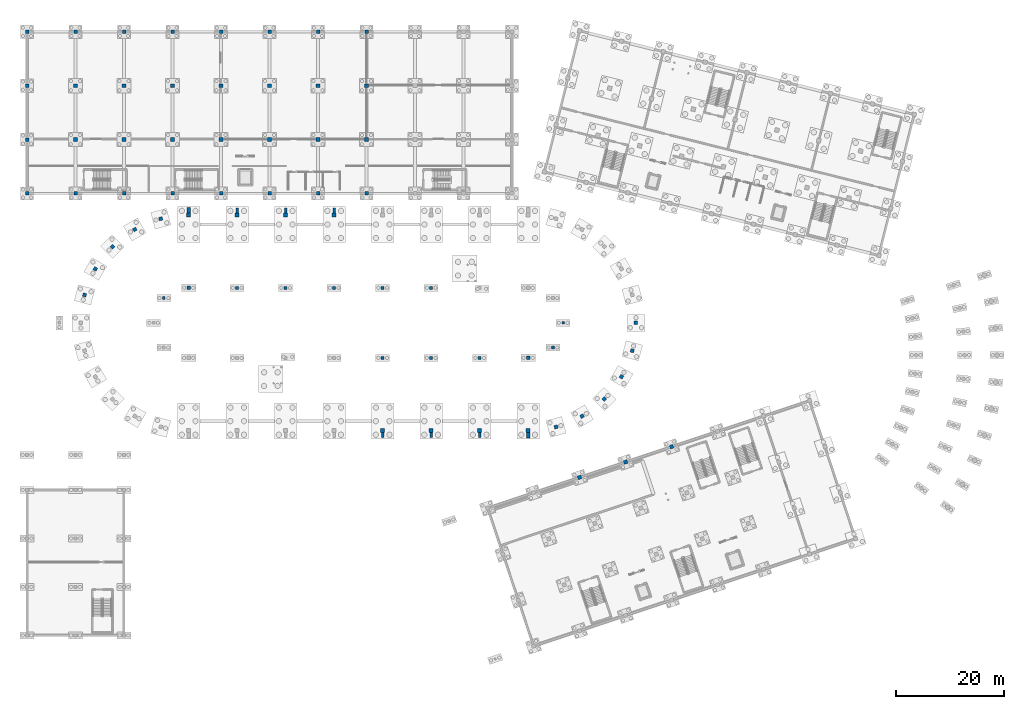
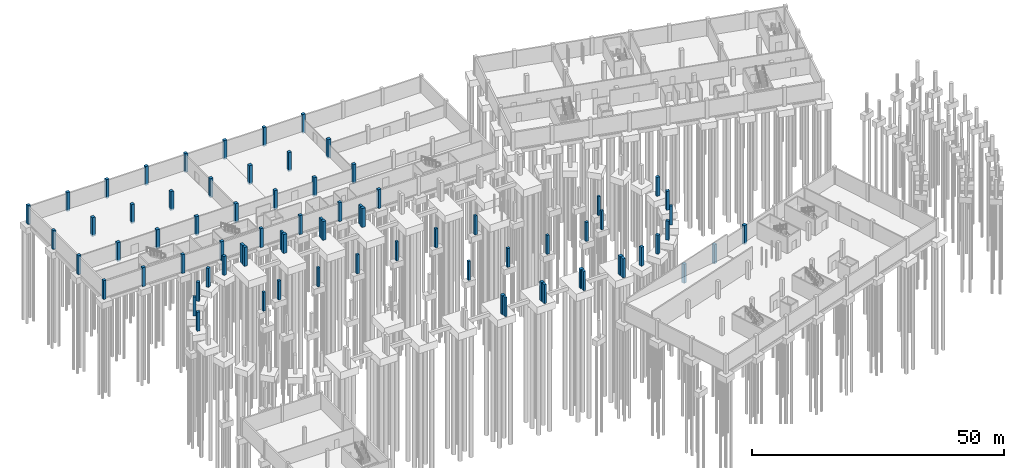
# One storey, part 13 of 36: 75 columns.
"""IFC4 building model written with IfcOpenShell, lengths in metres."""

from ifc_helpers import new_model, si_unit, derived_unit, direction, frame, origin, origin_2d, place, context, subcontext, project, spatial, rectangle, extrude, material, material_profile, profile_set, type_object, element, save


model = new_model("IFC4")

# Units and contexts
model_context = context("Model", 3, precision=1e-05, world=origin(), true_north=direction((0.0, 1.0)))
body_context = subcontext(model_context, "Body", "Model", "MODEL_VIEW")
ifc_project = project(units=[si_unit("LENGTHUNIT", "METRE"), si_unit("AREAUNIT", "SQUARE_METRE"), si_unit("VOLUMEUNIT", "CUBIC_METRE"), si_unit("PLANEANGLEUNIT", "RADIAN"), si_unit("MASSUNIT", "GRAM", prefix="KILO"), si_unit("THERMODYNAMICTEMPERATUREUNIT", "KELVIN"), si_unit("TIMEUNIT", "SECOND"), derived_unit("THERMALTRANSMITTANCEUNIT", [(si_unit("MASSUNIT", "GRAM", prefix="KILO"), 1), (si_unit("THERMODYNAMICTEMPERATUREUNIT", "KELVIN"), -1), (si_unit("TIMEUNIT", "SECOND"), -3)])], contexts=[model_context])

# Site, building, storey
site_placement = place(None, origin())
site = spatial("IfcSite", under=ifc_project, at=site_placement, CompositionType="ELEMENT")
building_placement = place(site_placement, origin())
building = spatial("IfcBuilding", under=site, at=building_placement, Name="Cambertide Market Hall", CompositionType="ELEMENT")
storey_placement = place(building_placement, frame((0.0, 0.0, -4.199951171875)))
storey = spatial("IfcBuildingStorey", under=building, at=storey_placement, Name="B1", CompositionType="ELEMENT", Elevation=-4.199951171875)

# Columns
ifc_material_1 = material(Name="Concrete B35", Category="concrete")
ifc_material_profile_1 = material_profile(ifc_material_1, rectangle(XDim=0.5, YDim=0.89990234375, at=origin_2d()), Name="RC 500x900")
ifc_profile_set_1 = profile_set([ifc_material_profile_1], Name="Concrete B35")
column_type_1 = type_object("IfcColumnType", Name="Concrete Buttress Pilaster RC 500x900", PredefinedType="PILASTER", material=ifc_profile_set_1)
for number, where, z_axis, x_axis, name in (
    (1, (51.0, 92.830078125, -0.400146484375), (0.0, 0.0, 1.0), (1.0, 0.0, 0.0), "Basement 1 Pilaster PIL-V1-N2"),
    (2, (60.0, 92.830078125, -0.400146484375), (0.0, 0.0, 1.0), (1.0, 0.0, 0.0), "Basement 1 Pilaster PIL-V1-N3"),
    (3, (69.0, 92.830078125, -0.400146484375), (0.0, 0.0, 1.0), (1.0, 0.0, 0.0), "Basement 1 Pilaster PIL-V1-N4"),
    (4, (78.0, 51.169921875, -0.400146484375), (0.0, 0.0, 1.0), (1.0, 0.0, 0.0), "Basement 1 Pilaster PIL-V1-S5"),
    (5, (87.0, 51.169921875, -0.400146484375), (0.0, 0.0, 1.0), (1.0, 0.0, 0.0), "Basement 1 Pilaster PIL-V1-S6"),
    (6, (96.0, 51.169921875, -0.400146484375), (0.0, 0.0, 1.0), (1.0, 0.0, 0.0), "Basement 1 Pilaster PIL-V1-S7"),
):
    element("IfcColumn", number, at=place(storey_placement, frame(where, z_axis=z_axis, x_axis=x_axis)), inside=storey, type_object=column_type_1, Name=name, PredefinedType="PILASTER", context=body_context, shape_type="SweptSolid", body=[
        extrude(rectangle(XDim=0.5, YDim=0.89990234375, at=origin_2d()), origin(), (0.0, 0.0, 1.0), 4.60009765625),
    ])
ifc_material_2 = material(Name="Concrete B35", Category="concrete")
ifc_material_profile_2 = material_profile(ifc_material_2, rectangle(XDim=0.60009765625, YDim=1.0, at=origin_2d()), Name="RC 600x1000")
ifc_profile_set_2 = profile_set([ifc_material_profile_2], Name="Concrete B35")
column_type_2 = type_object("IfcColumnType", Name="Concrete Buttress Pilaster RC 600x1000", PredefinedType="PILASTER", material=ifc_profile_set_2)
for number, where, z_axis, x_axis, name in (
    (7, (42.0, 92.8798828125, -0.400146484375), (0.0, 0.0, 1.0), (1.0, 0.0, 0.0), "Basement 1 Pilaster PIL-V1-N1"),
    (8, (105.0, 51.1201171875, -0.400146484375), (0.0, 0.0, 1.0), (1.0, 0.0, 0.0), "Basement 1 Pilaster PIL-V1-S8"),
):
    element("IfcColumn", number, at=place(storey_placement, frame(where, z_axis=z_axis, x_axis=x_axis)), inside=storey, type_object=column_type_2, Name=name, PredefinedType="PILASTER", context=body_context, shape_type="SweptSolid", body=[
        extrude(rectangle(XDim=0.60009765625, YDim=1.0, at=origin_2d()), origin(), (0.0, 0.0, 1.0), 4.60009765625),
    ])
ifc_material_3 = material(Name="Concrete B30", Category="concrete")
ifc_material_profile_3 = material_profile(ifc_material_3, rectangle(XDim=0.5, YDim=0.5, at=origin_2d()), Name="RC 500x500")
ifc_profile_set_3 = profile_set([ifc_material_profile_3], Name="Concrete B30")
column_type_3 = type_object("IfcColumnType", Name="Concrete Column RC 500x500", PredefinedType="COLUMN", material=ifc_profile_set_3)
for number, where, z_axis, x_axis, name in (
    (9, (37.40380859375, 76.59619140625, -0.400146484375), (0.0, 0.0, 1.0), (1.0, 0.0, 0.0), "Basement 1 Column COL-V1-MW06-B1"),
    (10, (109.59619140625, 67.40380859375, -0.400146484375), (0.0, 0.0, 1.0), (1.0, 0.0, 0.0), "Basement 1 Column COL-V1-ME06-B1"),
    (11, (111.5, 72.0, -0.400146484375), (0.0, 0.0, 1.0), (1.0, 0.0, 0.0), "Basement 1 Column COL-V1-ME12-B1"),
):
    element("IfcColumn", number, at=place(storey_placement, frame(where, z_axis=z_axis, x_axis=x_axis)), inside=storey, type_object=column_type_3, Name=name, PredefinedType="COLUMN", context=body_context, shape_type="SweptSolid", body=[
        extrude(rectangle(XDim=0.5, YDim=0.5, at=origin_2d()), origin(), (0.0, 0.0, 1.0), 4.60009765625),
    ])
ifc_material_4 = material(Name="Concrete B30", Category="concrete")
ifc_material_profile_4 = material_profile(ifc_material_4, rectangle(XDim=0.550048828125, YDim=0.550048828125, at=origin_2d()), Name="RC 550x550")
ifc_profile_set_4 = profile_set([ifc_material_profile_4], Name="Concrete B30")
column_type_4 = type_object("IfcColumnType", Name="Concrete Column RC 550x550", PredefinedType="COLUMN", material=ifc_profile_set_4)
for number, where, z_axis, x_axis, name in (
    (12, (51.0, 78.5, -0.400146484375), (0.0, 0.0, 1.0), (1.0, 0.0, 0.0), "Basement 1 Column COL-V1-MN2-B1"),
    (13, (60.0, 78.5, -0.400146484375), (0.0, 0.0, 1.0), (1.0, 0.0, 0.0), "Basement 1 Column COL-V1-MN3-B1"),
    (14, (69.0, 78.5, -0.400146484375), (0.0, 0.0, 1.0), (1.0, 0.0, 0.0), "Basement 1 Column COL-V1-MN4-B1"),
    (15, (78.0, 65.5, -0.400146484375), (0.0, 0.0, 1.0), (1.0, 0.0, 0.0), "Basement 1 Column COL-V1-MS5-B1"),
    (16, (78.0, 78.5, -0.400146484375), (0.0, 0.0, 1.0), (1.0, 0.0, 0.0), "Basement 1 Column COL-V1-MN5-B1"),
    (17, (87.0, 65.5, -0.400146484375), (0.0, 0.0, 1.0), (1.0, 0.0, 0.0), "Basement 1 Column COL-V1-MS6-B1"),
    (18, (87.0, 78.5, -0.400146484375), (0.0, 0.0, 1.0), (1.0, 0.0, 0.0), "Basement 1 Column COL-V1-MN6-B1"),
    (19, (96.0, 65.5, -0.400146484375), (0.0, 0.0, 1.0), (1.0, 0.0, 0.0), "Basement 1 Column COL-V1-MS7-B1"),
):
    element("IfcColumn", number, at=place(storey_placement, frame(where, z_axis=z_axis, x_axis=x_axis)), inside=storey, type_object=column_type_4, Name=name, PredefinedType="COLUMN", context=body_context, shape_type="SweptSolid", body=[
        extrude(rectangle(XDim=0.550048828125, YDim=0.550048828125, at=origin_2d()), origin(), (0.0, 0.0, 1.0), 4.60009765625),
    ])
ifc_material_5 = material(Name="Concrete B35", Category="concrete")
ifc_material_profile_5 = material_profile(ifc_material_5, rectangle(XDim=0.60009765625, YDim=0.60009765625, at=origin_2d()), Name="RC 600x600")
ifc_profile_set_5 = profile_set([ifc_material_profile_5], Name="Concrete B35")
column_type_5 = type_object("IfcColumnType", Name="Concrete Column RC 600x600", PredefinedType="COLUMN", material=ifc_profile_set_5)
for number, where, z_axis, x_axis, name in (
    (20, (42.0, 78.5, -0.400146484375), (0.0, 0.0, 1.0), (1.0, 0.0, 0.0), "Basement 1 Column COL-V1-MN1-B1"),
    (21, (105.0, 65.5, -0.400146484375), (0.0, 0.0, 1.0), (1.0, 0.0, 0.0), "Basement 1 Column COL-V1-MS8-B1"),
):
    element("IfcColumn", number, at=place(storey_placement, frame(where, z_axis=z_axis, x_axis=x_axis)), inside=storey, type_object=column_type_5, Name=name, PredefinedType="COLUMN", context=body_context, shape_type="SweptSolid", body=[
        extrude(rectangle(XDim=0.60009765625, YDim=0.60009765625, at=origin_2d()), origin(), (0.0, 0.0, 1.0), 4.60009765625),
    ])
ifc_material_6 = material(Name="Concrete B35", Category="concrete")
ifc_material_profile_6 = material_profile(ifc_material_6, rectangle(XDim=0.64990234375, YDim=0.64990234375, at=origin_2d()), Name="RC 650x650")
ifc_profile_set_6 = profile_set([ifc_material_profile_6], Name="Concrete B35")
column_type_6 = type_object("IfcColumnType", Name="Concrete Column RC 650x650", PredefinedType="COLUMN", material=ifc_profile_set_6)
for number, where, z_axis, x_axis, name in (
    (22, (36.82373046875, 91.318603515625, -0.400146484375), (0.0, 0.0, 1.0), (-0.258819045103, 0.965925826289, 0.0), "Basement 1 Column COL-V1-AW02-B1"),
    (23, (32.0, 89.320556640625, -0.400146484375), (0.0, 0.0, 1.0), (-0.5, 0.866025403784, 0.0), "Basement 1 Column COL-V1-AW04-B1"),
    (24, (27.85791015625, 86.14208984375, -0.400146484375), (0.0, 0.0, 1.0), (-0.707106781187, 0.707106781187, 0.0), "Basement 1 Column COL-V1-AW06-B1"),
    (25, (24.679443359375, 82.0, -0.400146484375), (0.0, 0.0, 1.0), (-0.866025403784, 0.5, 0.0), "Basement 1 Column COL-V1-AW08-B1"),
    (26, (22.681396484375, 77.17626953125, -0.400146484375), (0.0, 0.0, 1.0), (-0.965925826289, 0.258819045103, 0.0), "Basement 1 Column COL-V1-AW10-B1"),
    (27, (110.17626953125, 52.681396484375, -0.400146484375), (0.0, 0.0, 1.0), (0.258819045103, -0.965925826289, 0.0), "Basement 1 Column COL-V1-AE02-B1"),
    (28, (115.0, 54.679443359375, -0.400146484375), (0.0, 0.0, 1.0), (0.5, -0.866025403784, 0.0), "Basement 1 Column COL-V1-AE04-B1"),
    (29, (119.14208984375, 57.85791015625, -0.400146484375), (0.0, 0.0, 1.0), (0.707106781187, -0.707106781187, 0.0), "Basement 1 Column COL-V1-AE06-B1"),
    (30, (122.320556640625, 62.0, -0.400146484375), (0.0, 0.0, 1.0), (0.866025403784, -0.5, 0.0), "Basement 1 Column COL-V1-AE08-B1"),
    (31, (124.318603515625, 66.82373046875, -0.400146484375), (0.0, 0.0, 1.0), (0.965925826289, -0.258819045103, 0.0), "Basement 1 Column COL-V1-AE10-B1"),
    (32, (125.0, 72.0, -0.400146484375), (0.0, 0.0, 1.0), (1.0, 0.0, 0.0), "Basement 1 Column COL-V1-AE12-B1"),
    (33, (12.0, 96.0, -0.400146484375), (0.0, 0.0, 1.0), (1.0, 0.0, 0.0), "Basement 1 Column COL-V2-1-1-B1"),
    (34, (12.0, 106.0, -0.400146484375), (0.0, 0.0, 1.0), (1.0, 0.0, 0.0), "Basement 1 Column COL-V2-1-2-B1"),
    (35, (12.0, 116.0, -0.400146484375), (0.0, 0.0, 1.0), (1.0, 0.0, 0.0), "Basement 1 Column COL-V2-1-3-B1"),
    (36, (12.0, 126.0, -0.400146484375), (0.0, 0.0, 1.0), (1.0, 0.0, 0.0), "Basement 1 Column COL-V2-1-4-B1"),
    (37, (21.0, 96.0, -0.400146484375), (0.0, 0.0, 1.0), (1.0, 0.0, 0.0), "Basement 1 Column COL-V2-2-1-B1"),
    (38, (21.0, 126.0, -0.400146484375), (0.0, 0.0, 1.0), (1.0, 0.0, 0.0), "Basement 1 Column COL-V2-2-4-B1"),
    (39, (30.0, 96.0, -0.400146484375), (0.0, 0.0, 1.0), (1.0, 0.0, 0.0), "Basement 1 Column COL-V2-3-1-B1"),
    (40, (30.0, 126.0, -0.400146484375), (0.0, 0.0, 1.0), (1.0, 0.0, 0.0), "Basement 1 Column COL-V2-3-4-B1"),
    (41, (39.0, 96.0, -0.400146484375), (0.0, 0.0, 1.0), (1.0, 0.0, 0.0), "Basement 1 Column COL-V2-4-1-B1"),
    (42, (39.0, 126.0, -0.400146484375), (0.0, 0.0, 1.0), (1.0, 0.0, 0.0), "Basement 1 Column COL-V2-4-4-B1"),
    (43, (48.0, 96.0, -0.400146484375), (0.0, 0.0, 1.0), (1.0, 0.0, 0.0), "Basement 1 Column COL-V2-5-1-B1"),
    (44, (48.0, 126.0, -0.400146484375), (0.0, 0.0, 1.0), (1.0, 0.0, 0.0), "Basement 1 Column COL-V2-5-4-B1"),
    (45, (57.0, 96.0, -0.400146484375), (0.0, 0.0, 1.0), (1.0, 0.0, 0.0), "Basement 1 Column COL-V2-6-1-B1"),
    (46, (57.0, 126.0, -0.400146484375), (0.0, 0.0, 1.0), (1.0, 0.0, 0.0), "Basement 1 Column COL-V2-6-4-B1"),
    (47, (66.0, 96.0, -0.400146484375), (0.0, 0.0, 1.0), (1.0, 0.0, 0.0), "Basement 1 Column COL-V2-7-1-B1"),
    (48, (66.0, 126.0, -0.400146484375), (0.0, 0.0, 1.0), (1.0, 0.0, 0.0), "Basement 1 Column COL-V2-7-4-B1"),
    (49, (75.0, 96.0, -0.400146484375), (0.0, 0.0, 1.0), (1.0, 0.0, 0.0), "Basement 1 Column COL-V2-8-1-B1"),
    (50, (75.0, 126.0, -0.400146484375), (0.0, 0.0, 1.0), (1.0, 0.0, 0.0), "Basement 1 Column COL-V2-8-4-B1"),
):
    element("IfcColumn", number, at=place(storey_placement, frame(where, z_axis=z_axis, x_axis=x_axis)), inside=storey, type_object=column_type_6, Name=name, PredefinedType="COLUMN", context=body_context, shape_type="SweptSolid", body=[
        extrude(rectangle(XDim=0.64990234375, YDim=0.64990234375, at=origin_2d()), origin(), (0.0, 0.0, 1.0), 4.60009765625),
    ])
ifc_material_7 = material(Name="Concrete B35", Category="concrete")
ifc_material_profile_7 = material_profile(ifc_material_7, rectangle(XDim=0.699951171875, YDim=0.699951171875, at=origin_2d()), Name="RC 700x700")
ifc_profile_set_7 = profile_set([ifc_material_profile_7], Name="Concrete B35")
column_type_7 = type_object("IfcColumnType", Name="Concrete Column RC 700x700", PredefinedType="COLUMN", material=ifc_profile_set_7)
for number, where, z_axis, x_axis, name in (
    (51, (21.0, 106.0, -0.400146484375), (0.0, 0.0, 1.0), (1.0, 0.0, 0.0), "Basement 1 Column COL-V2-2-2-B1"),
    (52, (21.0, 116.0, -0.400146484375), (0.0, 0.0, 1.0), (1.0, 0.0, 0.0), "Basement 1 Column COL-V2-2-3-B1"),
    (53, (30.0, 106.0, -0.400146484375), (0.0, 0.0, 1.0), (1.0, 0.0, 0.0), "Basement 1 Column COL-V2-3-2-B1"),
    (54, (30.0, 116.0, -0.400146484375), (0.0, 0.0, 1.0), (1.0, 0.0, 0.0), "Basement 1 Column COL-V2-3-3-B1"),
    (55, (39.0, 106.0, -0.400146484375), (0.0, 0.0, 1.0), (1.0, 0.0, 0.0), "Basement 1 Column COL-V2-4-2-B1"),
    (56, (39.0, 116.0, -0.400146484375), (0.0, 0.0, 1.0), (1.0, 0.0, 0.0), "Basement 1 Column COL-V2-4-3-B1"),
    (57, (48.0, 106.0, -0.400146484375), (0.0, 0.0, 1.0), (1.0, 0.0, 0.0), "Basement 1 Column COL-V2-5-2-B1"),
    (58, (48.0, 116.0, -0.400146484375), (0.0, 0.0, 1.0), (1.0, 0.0, 0.0), "Basement 1 Column COL-V2-5-3-B1"),
    (59, (57.0, 106.0, -0.400146484375), (0.0, 0.0, 1.0), (1.0, 0.0, 0.0), "Basement 1 Column COL-V2-6-2-B1"),
    (60, (57.0, 116.0, -0.400146484375), (0.0, 0.0, 1.0), (1.0, 0.0, 0.0), "Basement 1 Column COL-V2-6-3-B1"),
    (61, (66.0, 106.0, -0.400146484375), (0.0, 0.0, 1.0), (1.0, 0.0, 0.0), "Basement 1 Column COL-V2-7-2-B1"),
    (62, (66.0, 116.0, -0.400146484375), (0.0, 0.0, 1.0), (1.0, 0.0, 0.0), "Basement 1 Column COL-V2-7-3-B1"),
    (63, (75.0, 106.0, -0.400146484375), (0.0, 0.0, 1.0), (1.0, 0.0, 0.0), "Basement 1 Column COL-V2-8-2-B1"),
    (64, (75.0, 116.0, -0.400146484375), (0.0, 0.0, 1.0), (1.0, 0.0, 0.0), "Basement 1 Column COL-V2-8-3-B1"),
    (65, (114.5380859375, 43.306640625, -0.400146484375), (0.0, 0.0, 1.0), (0.94868329805, 0.316227766018, 0.0), "Basement 1 Column COL-V3-3-4-B1"),
    (66, (123.076416015625, 46.152587890625, -0.400146484375), (0.0, 0.0, 1.0), (0.94868329805, 0.316227766018, 0.0), "Basement 1 Column COL-V3-4-4-B1"),
    (67, (131.614501953125, 48.99853515625, -0.400146484375), (0.0, 0.0, 1.0), (0.94868329805, 0.316227766018, 0.0), "Basement 1 Column COL-V3-5-4-B1"),
):
    element("IfcColumn", number, at=place(storey_placement, frame(where, z_axis=z_axis, x_axis=x_axis)), inside=storey, type_object=column_type_7, Name=name, PredefinedType="COLUMN", context=body_context, shape_type="SweptSolid", body=[
        extrude(rectangle(XDim=0.699951171875, YDim=0.699951171875, at=origin_2d()), origin(), (0.0, 0.0, 1.0), 4.60009765625),
    ])
ifc_material_8 = material(Name="Concrete B35", Category="concrete")
ifc_material_profile_8 = material_profile(ifc_material_8, rectangle(XDim=0.75, YDim=0.75, at=origin_2d()), Name="RC 750x750")
ifc_profile_set_8 = profile_set([ifc_material_profile_8], Name="Concrete B35")
column_type_8 = type_object("IfcColumnType", Name="Concrete Column RC 750x750", PredefinedType="COLUMN", material=ifc_profile_set_8)
for number, where, z_axis, x_axis, name in (
    (68, (42.0, 92.0, -0.400146484375), (0.0, 0.0, 1.0), (0.0, 1.0, 0.0), "Basement 1 Column COL-V1-N1-B1"),
    (69, (51.0, 92.0, -0.400146484375), (0.0, 0.0, 1.0), (0.0, 1.0, 0.0), "Basement 1 Column COL-V1-N2-B1"),
    (70, (60.0, 92.0, -0.400146484375), (0.0, 0.0, 1.0), (0.0, 1.0, 0.0), "Basement 1 Column COL-V1-N3-B1"),
    (71, (69.0, 92.0, -0.400146484375), (0.0, 0.0, 1.0), (0.0, 1.0, 0.0), "Basement 1 Column COL-V1-N4-B1"),
    (72, (78.0, 52.0, -0.400146484375), (0.0, 0.0, 1.0), (0.0, 1.0, 0.0), "Basement 1 Column COL-V1-S5-B1"),
    (73, (87.0, 52.0, -0.400146484375), (0.0, 0.0, 1.0), (0.0, 1.0, 0.0), "Basement 1 Column COL-V1-S6-B1"),
    (74, (96.0, 52.0, -0.400146484375), (0.0, 0.0, 1.0), (0.0, 1.0, 0.0), "Basement 1 Column COL-V1-S7-B1"),
    (75, (105.0, 52.0, -0.400146484375), (0.0, 0.0, 1.0), (0.0, 1.0, 0.0), "Basement 1 Column COL-V1-S8-B1"),
):
    element("IfcColumn", number, at=place(storey_placement, frame(where, z_axis=z_axis, x_axis=x_axis)), inside=storey, type_object=column_type_8, Name=name, PredefinedType="COLUMN", context=body_context, shape_type="SweptSolid", body=[
        extrude(rectangle(XDim=0.75, YDim=0.75, at=origin_2d()), origin(), (0.0, 0.0, 1.0), 4.60009765625),
    ])

save(model, "model.ifc")
